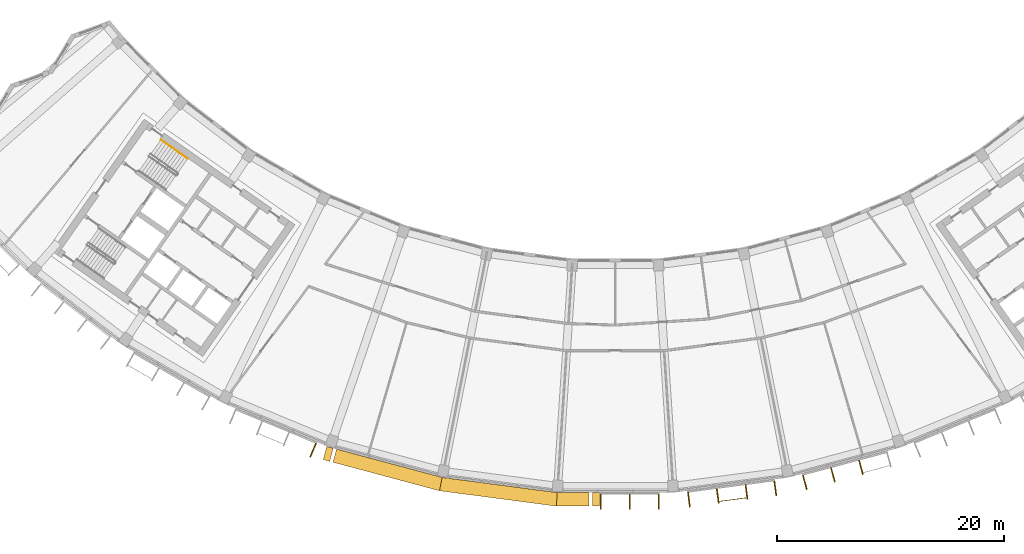
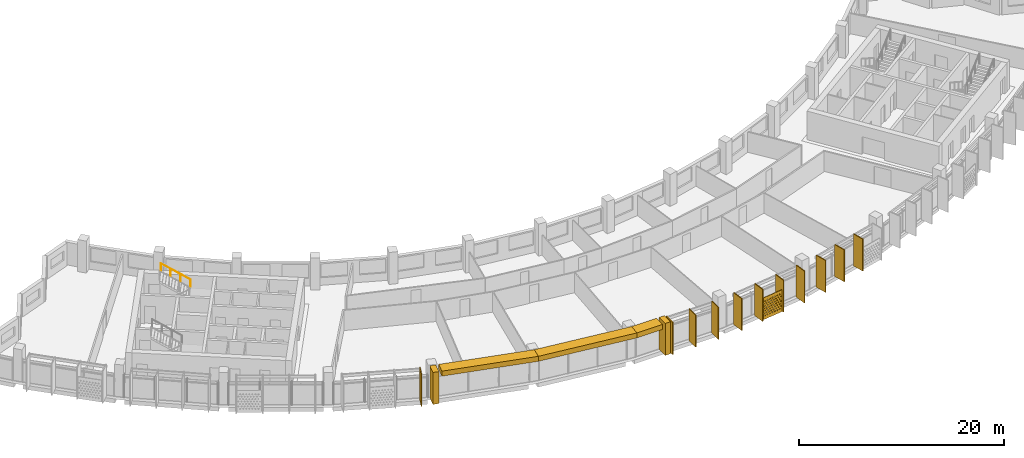
# One storey, part 24 of 27: 17 shading devices, 1 railing.
"""IFC4 building model written with IfcOpenShell, lengths in metres."""

from ifc_helpers import new_model, si_unit, direction, frame, origin, origin_2d, place, context, subcontext, project, spatial, polyline, rectangle, circle, outline, extrude, material, material_profile, profile_set, type_object, element, save


model = new_model("IFC4")

# Units and contexts
model_context = context("Model", 3, precision=1e-05, world=origin(), true_north=direction((0.0, 1.0)))
body_context = subcontext(model_context, "Body", "Model", "MODEL_VIEW")
ifc_project = project(units=[si_unit("LENGTHUNIT", "METRE"), si_unit("AREAUNIT", "SQUARE_METRE"), si_unit("VOLUMEUNIT", "CUBIC_METRE"), si_unit("PLANEANGLEUNIT", "RADIAN"), si_unit("MASSUNIT", "GRAM", prefix="KILO")], contexts=[model_context])

# Site, building, storey
site_placement = place(None, origin())
site = spatial("IfcSite", under=ifc_project, at=site_placement, CompositionType="ELEMENT")
building_placement = place(site_placement, origin())
building = spatial("IfcBuilding", under=site, at=building_placement, Name="Qamariyya Broadcast Tower", CompositionType="ELEMENT")
storey_placement = place(building_placement, frame((0.0, 0.0, 280.89990234375)))
storey = spatial("IfcBuildingStorey", under=building, at=storey_placement, Name="L68", CompositionType="ELEMENT", Elevation=280.89990234375)

# Shading devices
ifc_material_1 = material(Name="Steel S355 powder coated deep red", Category="steel")
shading_device_type_1 = type_object("IfcShadingDeviceType", Name="Deep red frame, powder coated steel box section", PredefinedType="USERDEFINED", material=ifc_material_1)
shading_device_1_placement = place(storey_placement, origin())
element("IfcShadingDevice", 1, at=shading_device_1_placement, inside=storey, type_object=shading_device_type_1, Name="e-frm-B5-F3-posta-L68", ObjectType="FRAME", PredefinedType="USERDEFINED", context=body_context, shape_type="SweptSolid", body=[
    extrude(outline(polyline([(-25.474609375, -74.1142578125), (-25.78515625, -75.2734375), (-25.20556640625, -75.4287109375), (-24.89501953125, -74.26953125), (-25.474609375, -74.1142578125)])), origin(), (0.0, 0.0, 1.0), 3.800048828125),
])
shading_device_2_placement = place(storey_placement, origin())
element("IfcShadingDevice", 2, at=shading_device_2_placement, inside=storey, type_object=shading_device_type_1, Name="e-frm-B5-F3-postb-L68", ObjectType="FRAME", PredefinedType="USERDEFINED", context=body_context, shape_type="SweptSolid", body=[
    extrude(outline(polyline([(-2.008056640625, -78.18212890625), (-2.008056640625, -79.38232421875), (-1.408203125, -79.38232421875), (-1.408203125, -78.18212890625), (-2.008056640625, -78.18212890625)])), origin(), (0.0, 0.0, 1.0), 3.800048828125),
])
shading_device_3_placement = place(storey_placement, frame((0.0, 0.0, 3.2001953125)))
element("IfcShadingDevice", 3, at=shading_device_3_placement, inside=storey, type_object=shading_device_type_1, Name="e-frm-B5-F3-top0", ObjectType="FRAME", PredefinedType="USERDEFINED", context=body_context, shape_type="SweptSolid", body=[
    extrude(outline(polyline([(-24.605224609375, -74.34716796875), (-24.915771484375, -75.50634765625), (-15.52001953125, -78.02392578125), (-15.285400390625, -76.844482421875), (-24.605224609375, -74.34716796875)])), origin(), (0.0, 0.0, 1.0), 0.599853515625),
])
shading_device_4_placement = place(storey_placement, frame((0.0, 0.0, 3.2001953125)))
element("IfcShadingDevice", 4, at=shading_device_4_placement, inside=storey, type_object=shading_device_type_1, Name="e-frm-B5-F3-top1", ObjectType="FRAME", PredefinedType="USERDEFINED", context=body_context, shape_type="SweptSolid", body=[
    extrude(outline(polyline([(-15.285400390625, -76.844482421875), (-15.52001953125, -78.02392578125), (-5.202880859375, -79.38232421875), (-5.124267578125, -78.18212890625), (-15.285400390625, -76.844482421875)])), origin(), (0.0, 0.0, 1.0), 0.599853515625),
])
shading_device_5_placement = place(storey_placement, frame((0.0, 0.0, 3.2001953125)))
element("IfcShadingDevice", 5, at=shading_device_5_placement, inside=storey, type_object=shading_device_type_1, Name="e-frm-B5-F3-top2", ObjectType="FRAME", PredefinedType="USERDEFINED", context=body_context, shape_type="SweptSolid", body=[
    extrude(outline(polyline([(-5.124267578125, -78.18212890625), (-5.202880859375, -79.38232421875), (-2.30810546875, -79.38232421875), (-2.30810546875, -78.18212890625), (-5.124267578125, -78.18212890625)])), origin(), (0.0, 0.0, 1.0), 0.599853515625),
])
ifc_material_2 = material(Name="Perforated glazed terracotta", Category="masonry")
ifc_material_profile_1 = material_profile(ifc_material_2, outline(polyline([(-1.199951171875, -1.300048828125), (1.199951171875, -1.300048828125), (1.199951171875, 1.300048828125), (-1.199951171875, 1.300048828125), (-1.199951171875, -1.300048828125)]), holes=[polyline([(-0.81494140625, -0.86669921875), (-0.89990234375, -0.78173828125), (-0.985107421875, -0.86669921875), (-0.89990234375, -0.95166015625), (-0.81494140625, -0.86669921875)]), polyline([(-0.514892578125, -0.86669921875), (-0.60009765625, -0.78173828125), (-0.68505859375, -0.86669921875), (-0.60009765625, -0.95166015625), (-0.514892578125, -0.86669921875)]), polyline([(-0.215087890625, -0.86669921875), (-0.300048828125, -0.78173828125), (-0.385009765625, -0.86669921875), (-0.300048828125, -0.95166015625), (-0.215087890625, -0.86669921875)]), polyline([(0.0849609375, -0.86669921875), (0.0, -0.78173828125), (-0.0849609375, -0.86669921875), (0.0, -0.95166015625), (0.0849609375, -0.86669921875)]), polyline([(0.385009765625, -0.86669921875), (0.300048828125, -0.78173828125), (0.215087890625, -0.86669921875), (0.300048828125, -0.95166015625), (0.385009765625, -0.86669921875)]), polyline([(0.68505859375, -0.86669921875), (0.60009765625, -0.78173828125), (0.514892578125, -0.86669921875), (0.60009765625, -0.95166015625), (0.68505859375, -0.86669921875)]), polyline([(0.985107421875, -0.86669921875), (0.89990234375, -0.78173828125), (0.81494140625, -0.86669921875), (0.89990234375, -0.95166015625), (0.985107421875, -0.86669921875)]), polyline([(-0.965087890625, -0.577880859375), (-1.050048828125, -0.49267578125), (-1.135009765625, -0.577880859375), (-1.050048828125, -0.662841796875), (-0.965087890625, -0.577880859375)]), polyline([(-0.6650390625, -0.577880859375), (-0.75, -0.49267578125), (-0.8349609375, -0.577880859375), (-0.75, -0.662841796875), (-0.6650390625, -0.577880859375)]), polyline([(-0.364990234375, -0.577880859375), (-0.449951171875, -0.49267578125), (-0.534912109375, -0.577880859375), (-0.449951171875, -0.662841796875), (-0.364990234375, -0.577880859375)]), polyline([(-0.06494140625, -0.577880859375), (-0.14990234375, -0.49267578125), (-0.235107421875, -0.577880859375), (-0.14990234375, -0.662841796875), (-0.06494140625, -0.577880859375)]), polyline([(0.235107421875, -0.577880859375), (0.14990234375, -0.49267578125), (0.06494140625, -0.577880859375), (0.14990234375, -0.662841796875), (0.235107421875, -0.577880859375)]), polyline([(0.534912109375, -0.577880859375), (0.449951171875, -0.49267578125), (0.364990234375, -0.577880859375), (0.449951171875, -0.662841796875), (0.534912109375, -0.577880859375)]), polyline([(0.8349609375, -0.577880859375), (0.75, -0.49267578125), (0.6650390625, -0.577880859375), (0.75, -0.662841796875), (0.8349609375, -0.577880859375)]), polyline([(1.135009765625, -0.577880859375), (1.050048828125, -0.49267578125), (0.965087890625, -0.577880859375), (1.050048828125, -0.662841796875), (1.135009765625, -0.577880859375)]), polyline([(-0.81494140625, -0.288818359375), (-0.89990234375, -0.203857421875), (-0.985107421875, -0.288818359375), (-0.89990234375, -0.373779296875), (-0.81494140625, -0.288818359375)]), polyline([(-0.514892578125, -0.288818359375), (-0.60009765625, -0.203857421875), (-0.68505859375, -0.288818359375), (-0.60009765625, -0.373779296875), (-0.514892578125, -0.288818359375)]), polyline([(-0.215087890625, -0.288818359375), (-0.300048828125, -0.203857421875), (-0.385009765625, -0.288818359375), (-0.300048828125, -0.373779296875), (-0.215087890625, -0.288818359375)]), polyline([(0.0849609375, -0.288818359375), (0.0, -0.203857421875), (-0.0849609375, -0.288818359375), (0.0, -0.373779296875), (0.0849609375, -0.288818359375)]), polyline([(0.385009765625, -0.288818359375), (0.300048828125, -0.203857421875), (0.215087890625, -0.288818359375), (0.300048828125, -0.373779296875), (0.385009765625, -0.288818359375)]), polyline([(0.68505859375, -0.288818359375), (0.60009765625, -0.203857421875), (0.514892578125, -0.288818359375), (0.60009765625, -0.373779296875), (0.68505859375, -0.288818359375)]), polyline([(0.985107421875, -0.288818359375), (0.89990234375, -0.203857421875), (0.81494140625, -0.288818359375), (0.89990234375, -0.373779296875), (0.985107421875, -0.288818359375)]), polyline([(-0.965087890625, 0.0), (-1.050048828125, 0.0849609375), (-1.135009765625, 0.0), (-1.050048828125, -0.0849609375), (-0.965087890625, 0.0)]), polyline([(-0.6650390625, 0.0), (-0.75, 0.0849609375), (-0.8349609375, 0.0), (-0.75, -0.0849609375), (-0.6650390625, 0.0)]), polyline([(-0.364990234375, 0.0), (-0.449951171875, 0.0849609375), (-0.534912109375, 0.0), (-0.449951171875, -0.0849609375), (-0.364990234375, 0.0)]), polyline([(-0.06494140625, 0.0), (-0.14990234375, 0.0849609375), (-0.235107421875, 0.0), (-0.14990234375, -0.0849609375), (-0.06494140625, 0.0)]), polyline([(0.235107421875, 0.0), (0.14990234375, 0.0849609375), (0.06494140625, 0.0), (0.14990234375, -0.0849609375), (0.235107421875, 0.0)]), polyline([(0.534912109375, 0.0), (0.449951171875, 0.0849609375), (0.364990234375, 0.0), (0.449951171875, -0.0849609375), (0.534912109375, 0.0)]), polyline([(0.8349609375, 0.0), (0.75, 0.0849609375), (0.6650390625, 0.0), (0.75, -0.0849609375), (0.8349609375, 0.0)]), polyline([(1.135009765625, 0.0), (1.050048828125, 0.0849609375), (0.965087890625, 0.0), (1.050048828125, -0.0849609375), (1.135009765625, 0.0)]), polyline([(-0.81494140625, 0.288818359375), (-0.89990234375, 0.373779296875), (-0.985107421875, 0.288818359375), (-0.89990234375, 0.203857421875), (-0.81494140625, 0.288818359375)]), polyline([(-0.514892578125, 0.288818359375), (-0.60009765625, 0.373779296875), (-0.68505859375, 0.288818359375), (-0.60009765625, 0.203857421875), (-0.514892578125, 0.288818359375)]), polyline([(-0.215087890625, 0.288818359375), (-0.300048828125, 0.373779296875), (-0.385009765625, 0.288818359375), (-0.300048828125, 0.203857421875), (-0.215087890625, 0.288818359375)]), polyline([(0.0849609375, 0.288818359375), (0.0, 0.373779296875), (-0.0849609375, 0.288818359375), (0.0, 0.203857421875), (0.0849609375, 0.288818359375)]), polyline([(0.385009765625, 0.288818359375), (0.300048828125, 0.373779296875), (0.215087890625, 0.288818359375), (0.300048828125, 0.203857421875), (0.385009765625, 0.288818359375)]), polyline([(0.68505859375, 0.288818359375), (0.60009765625, 0.373779296875), (0.514892578125, 0.288818359375), (0.60009765625, 0.203857421875), (0.68505859375, 0.288818359375)]), polyline([(0.985107421875, 0.288818359375), (0.89990234375, 0.373779296875), (0.81494140625, 0.288818359375), (0.89990234375, 0.203857421875), (0.985107421875, 0.288818359375)]), polyline([(-0.965087890625, 0.577880859375), (-1.050048828125, 0.662841796875), (-1.135009765625, 0.577880859375), (-1.050048828125, 0.49267578125), (-0.965087890625, 0.577880859375)]), polyline([(-0.6650390625, 0.577880859375), (-0.75, 0.662841796875), (-0.8349609375, 0.577880859375), (-0.75, 0.49267578125), (-0.6650390625, 0.577880859375)]), polyline([(-0.364990234375, 0.577880859375), (-0.449951171875, 0.662841796875), (-0.534912109375, 0.577880859375), (-0.449951171875, 0.49267578125), (-0.364990234375, 0.577880859375)]), polyline([(-0.06494140625, 0.577880859375), (-0.14990234375, 0.662841796875), (-0.235107421875, 0.577880859375), (-0.14990234375, 0.49267578125), (-0.06494140625, 0.577880859375)]), polyline([(0.235107421875, 0.577880859375), (0.14990234375, 0.662841796875), (0.06494140625, 0.577880859375), (0.14990234375, 0.49267578125), (0.235107421875, 0.577880859375)]), polyline([(0.534912109375, 0.577880859375), (0.449951171875, 0.662841796875), (0.364990234375, 0.577880859375), (0.449951171875, 0.49267578125), (0.534912109375, 0.577880859375)]), polyline([(0.8349609375, 0.577880859375), (0.75, 0.662841796875), (0.6650390625, 0.577880859375), (0.75, 0.49267578125), (0.8349609375, 0.577880859375)]), polyline([(1.135009765625, 0.577880859375), (1.050048828125, 0.662841796875), (0.965087890625, 0.577880859375), (1.050048828125, 0.49267578125), (1.135009765625, 0.577880859375)]), polyline([(-0.81494140625, 0.86669921875), (-0.89990234375, 0.95166015625), (-0.985107421875, 0.86669921875), (-0.89990234375, 0.78173828125), (-0.81494140625, 0.86669921875)]), polyline([(-0.514892578125, 0.86669921875), (-0.60009765625, 0.95166015625), (-0.68505859375, 0.86669921875), (-0.60009765625, 0.78173828125), (-0.514892578125, 0.86669921875)]), polyline([(-0.215087890625, 0.86669921875), (-0.300048828125, 0.95166015625), (-0.385009765625, 0.86669921875), (-0.300048828125, 0.78173828125), (-0.215087890625, 0.86669921875)]), polyline([(0.0849609375, 0.86669921875), (0.0, 0.95166015625), (-0.0849609375, 0.86669921875), (0.0, 0.78173828125), (0.0849609375, 0.86669921875)]), polyline([(0.385009765625, 0.86669921875), (0.300048828125, 0.95166015625), (0.215087890625, 0.86669921875), (0.300048828125, 0.78173828125), (0.385009765625, 0.86669921875)]), polyline([(0.68505859375, 0.86669921875), (0.60009765625, 0.95166015625), (0.514892578125, 0.86669921875), (0.60009765625, 0.78173828125), (0.68505859375, 0.86669921875)]), polyline([(0.985107421875, 0.86669921875), (0.89990234375, 0.95166015625), (0.81494140625, 0.86669921875), (0.89990234375, 0.78173828125), (0.985107421875, 0.86669921875)])]))
ifc_profile_set_1 = profile_set([ifc_material_profile_1], Name="Perforated glazed terracotta")
shading_device_type_2 = type_object("IfcShadingDeviceType", Name="Perforated terracotta screen 2400 x 2600", PredefinedType="USERDEFINED", material=ifc_profile_set_1)
shading_device_6_placement = place(storey_placement, frame((10.33984375, -78.776611328125, 1.35009765625), z_axis=(0.1300340368, -0.991509530601, 0.0), x_axis=(0.991509530601, 0.1300340368, 0.0)))
element("IfcShadingDevice", 6, at=shading_device_6_placement, inside=storey, type_object=shading_device_type_2, Name="e-scr-L68-08-1", ObjectType="SCREEN", PredefinedType="USERDEFINED", context=body_context, shape_type="SweptSolid", body=[
    extrude(outline(polyline([(-1.199951171875, -1.300048828125), (1.199951171875, -1.300048828125), (1.199951171875, 1.300048828125), (-1.199951171875, 1.300048828125), (-1.199951171875, -1.300048828125)]), holes=[polyline([(-0.81494140625, -0.86669921875), (-0.89990234375, -0.78173828125), (-0.985107421875, -0.86669921875), (-0.89990234375, -0.95166015625), (-0.81494140625, -0.86669921875)]), polyline([(-0.514892578125, -0.86669921875), (-0.60009765625, -0.78173828125), (-0.68505859375, -0.86669921875), (-0.60009765625, -0.95166015625), (-0.514892578125, -0.86669921875)]), polyline([(-0.215087890625, -0.86669921875), (-0.300048828125, -0.78173828125), (-0.385009765625, -0.86669921875), (-0.300048828125, -0.95166015625), (-0.215087890625, -0.86669921875)]), polyline([(0.0849609375, -0.86669921875), (0.0, -0.78173828125), (-0.0849609375, -0.86669921875), (0.0, -0.95166015625), (0.0849609375, -0.86669921875)]), polyline([(0.385009765625, -0.86669921875), (0.300048828125, -0.78173828125), (0.215087890625, -0.86669921875), (0.300048828125, -0.95166015625), (0.385009765625, -0.86669921875)]), polyline([(0.68505859375, -0.86669921875), (0.60009765625, -0.78173828125), (0.514892578125, -0.86669921875), (0.60009765625, -0.95166015625), (0.68505859375, -0.86669921875)]), polyline([(0.985107421875, -0.86669921875), (0.89990234375, -0.78173828125), (0.81494140625, -0.86669921875), (0.89990234375, -0.95166015625), (0.985107421875, -0.86669921875)]), polyline([(-0.965087890625, -0.577880859375), (-1.050048828125, -0.49267578125), (-1.135009765625, -0.577880859375), (-1.050048828125, -0.662841796875), (-0.965087890625, -0.577880859375)]), polyline([(-0.6650390625, -0.577880859375), (-0.75, -0.49267578125), (-0.8349609375, -0.577880859375), (-0.75, -0.662841796875), (-0.6650390625, -0.577880859375)]), polyline([(-0.364990234375, -0.577880859375), (-0.449951171875, -0.49267578125), (-0.534912109375, -0.577880859375), (-0.449951171875, -0.662841796875), (-0.364990234375, -0.577880859375)]), polyline([(-0.06494140625, -0.577880859375), (-0.14990234375, -0.49267578125), (-0.235107421875, -0.577880859375), (-0.14990234375, -0.662841796875), (-0.06494140625, -0.577880859375)]), polyline([(0.235107421875, -0.577880859375), (0.14990234375, -0.49267578125), (0.06494140625, -0.577880859375), (0.14990234375, -0.662841796875), (0.235107421875, -0.577880859375)]), polyline([(0.534912109375, -0.577880859375), (0.449951171875, -0.49267578125), (0.364990234375, -0.577880859375), (0.449951171875, -0.662841796875), (0.534912109375, -0.577880859375)]), polyline([(0.8349609375, -0.577880859375), (0.75, -0.49267578125), (0.6650390625, -0.577880859375), (0.75, -0.662841796875), (0.8349609375, -0.577880859375)]), polyline([(1.135009765625, -0.577880859375), (1.050048828125, -0.49267578125), (0.965087890625, -0.577880859375), (1.050048828125, -0.662841796875), (1.135009765625, -0.577880859375)]), polyline([(-0.81494140625, -0.288818359375), (-0.89990234375, -0.203857421875), (-0.985107421875, -0.288818359375), (-0.89990234375, -0.373779296875), (-0.81494140625, -0.288818359375)]), polyline([(-0.514892578125, -0.288818359375), (-0.60009765625, -0.203857421875), (-0.68505859375, -0.288818359375), (-0.60009765625, -0.373779296875), (-0.514892578125, -0.288818359375)]), polyline([(-0.215087890625, -0.288818359375), (-0.300048828125, -0.203857421875), (-0.385009765625, -0.288818359375), (-0.300048828125, -0.373779296875), (-0.215087890625, -0.288818359375)]), polyline([(0.0849609375, -0.288818359375), (0.0, -0.203857421875), (-0.0849609375, -0.288818359375), (0.0, -0.373779296875), (0.0849609375, -0.288818359375)]), polyline([(0.385009765625, -0.288818359375), (0.300048828125, -0.203857421875), (0.215087890625, -0.288818359375), (0.300048828125, -0.373779296875), (0.385009765625, -0.288818359375)]), polyline([(0.68505859375, -0.288818359375), (0.60009765625, -0.203857421875), (0.514892578125, -0.288818359375), (0.60009765625, -0.373779296875), (0.68505859375, -0.288818359375)]), polyline([(0.985107421875, -0.288818359375), (0.89990234375, -0.203857421875), (0.81494140625, -0.288818359375), (0.89990234375, -0.373779296875), (0.985107421875, -0.288818359375)]), polyline([(-0.965087890625, 0.0), (-1.050048828125, 0.0849609375), (-1.135009765625, 0.0), (-1.050048828125, -0.0849609375), (-0.965087890625, 0.0)]), polyline([(-0.6650390625, 0.0), (-0.75, 0.0849609375), (-0.8349609375, 0.0), (-0.75, -0.0849609375), (-0.6650390625, 0.0)]), polyline([(-0.364990234375, 0.0), (-0.449951171875, 0.0849609375), (-0.534912109375, 0.0), (-0.449951171875, -0.0849609375), (-0.364990234375, 0.0)]), polyline([(-0.06494140625, 0.0), (-0.14990234375, 0.0849609375), (-0.235107421875, 0.0), (-0.14990234375, -0.0849609375), (-0.06494140625, 0.0)]), polyline([(0.235107421875, 0.0), (0.14990234375, 0.0849609375), (0.06494140625, 0.0), (0.14990234375, -0.0849609375), (0.235107421875, 0.0)]), polyline([(0.534912109375, 0.0), (0.449951171875, 0.0849609375), (0.364990234375, 0.0), (0.449951171875, -0.0849609375), (0.534912109375, 0.0)]), polyline([(0.8349609375, 0.0), (0.75, 0.0849609375), (0.6650390625, 0.0), (0.75, -0.0849609375), (0.8349609375, 0.0)]), polyline([(1.135009765625, 0.0), (1.050048828125, 0.0849609375), (0.965087890625, 0.0), (1.050048828125, -0.0849609375), (1.135009765625, 0.0)]), polyline([(-0.81494140625, 0.288818359375), (-0.89990234375, 0.373779296875), (-0.985107421875, 0.288818359375), (-0.89990234375, 0.203857421875), (-0.81494140625, 0.288818359375)]), polyline([(-0.514892578125, 0.288818359375), (-0.60009765625, 0.373779296875), (-0.68505859375, 0.288818359375), (-0.60009765625, 0.203857421875), (-0.514892578125, 0.288818359375)]), polyline([(-0.215087890625, 0.288818359375), (-0.300048828125, 0.373779296875), (-0.385009765625, 0.288818359375), (-0.300048828125, 0.203857421875), (-0.215087890625, 0.288818359375)]), polyline([(0.0849609375, 0.288818359375), (0.0, 0.373779296875), (-0.0849609375, 0.288818359375), (0.0, 0.203857421875), (0.0849609375, 0.288818359375)]), polyline([(0.385009765625, 0.288818359375), (0.300048828125, 0.373779296875), (0.215087890625, 0.288818359375), (0.300048828125, 0.203857421875), (0.385009765625, 0.288818359375)]), polyline([(0.68505859375, 0.288818359375), (0.60009765625, 0.373779296875), (0.514892578125, 0.288818359375), (0.60009765625, 0.203857421875), (0.68505859375, 0.288818359375)]), polyline([(0.985107421875, 0.288818359375), (0.89990234375, 0.373779296875), (0.81494140625, 0.288818359375), (0.89990234375, 0.203857421875), (0.985107421875, 0.288818359375)]), polyline([(-0.965087890625, 0.577880859375), (-1.050048828125, 0.662841796875), (-1.135009765625, 0.577880859375), (-1.050048828125, 0.49267578125), (-0.965087890625, 0.577880859375)]), polyline([(-0.6650390625, 0.577880859375), (-0.75, 0.662841796875), (-0.8349609375, 0.577880859375), (-0.75, 0.49267578125), (-0.6650390625, 0.577880859375)]), polyline([(-0.364990234375, 0.577880859375), (-0.449951171875, 0.662841796875), (-0.534912109375, 0.577880859375), (-0.449951171875, 0.49267578125), (-0.364990234375, 0.577880859375)]), polyline([(-0.06494140625, 0.577880859375), (-0.14990234375, 0.662841796875), (-0.235107421875, 0.577880859375), (-0.14990234375, 0.49267578125), (-0.06494140625, 0.577880859375)]), polyline([(0.235107421875, 0.577880859375), (0.14990234375, 0.662841796875), (0.06494140625, 0.577880859375), (0.14990234375, 0.49267578125), (0.235107421875, 0.577880859375)]), polyline([(0.534912109375, 0.577880859375), (0.449951171875, 0.662841796875), (0.364990234375, 0.577880859375), (0.449951171875, 0.49267578125), (0.534912109375, 0.577880859375)]), polyline([(0.8349609375, 0.577880859375), (0.75, 0.662841796875), (0.6650390625, 0.577880859375), (0.75, 0.49267578125), (0.8349609375, 0.577880859375)]), polyline([(1.135009765625, 0.577880859375), (1.050048828125, 0.662841796875), (0.965087890625, 0.577880859375), (1.050048828125, 0.49267578125), (1.135009765625, 0.577880859375)]), polyline([(-0.81494140625, 0.86669921875), (-0.89990234375, 0.95166015625), (-0.985107421875, 0.86669921875), (-0.89990234375, 0.78173828125), (-0.81494140625, 0.86669921875)]), polyline([(-0.514892578125, 0.86669921875), (-0.60009765625, 0.95166015625), (-0.68505859375, 0.86669921875), (-0.60009765625, 0.78173828125), (-0.514892578125, 0.86669921875)]), polyline([(-0.215087890625, 0.86669921875), (-0.300048828125, 0.95166015625), (-0.385009765625, 0.86669921875), (-0.300048828125, 0.78173828125), (-0.215087890625, 0.86669921875)]), polyline([(0.0849609375, 0.86669921875), (0.0, 0.95166015625), (-0.0849609375, 0.86669921875), (0.0, 0.78173828125), (0.0849609375, 0.86669921875)]), polyline([(0.385009765625, 0.86669921875), (0.300048828125, 0.95166015625), (0.215087890625, 0.86669921875), (0.300048828125, 0.78173828125), (0.385009765625, 0.86669921875)]), polyline([(0.68505859375, 0.86669921875), (0.60009765625, 0.95166015625), (0.514892578125, 0.86669921875), (0.60009765625, 0.78173828125), (0.68505859375, 0.86669921875)]), polyline([(0.985107421875, 0.86669921875), (0.89990234375, 0.95166015625), (0.81494140625, 0.86669921875), (0.89990234375, 0.78173828125), (0.985107421875, 0.86669921875)])]), origin(), (0.0, 0.0, 1.0), 0.06005859375),
])

# Railing
ifc_material_3 = material(Name="Stainless steel", Category="steel")
railing_type = type_object("IfcRailingType", Name="Stair handrail", PredefinedType="HANDRAIL", material=ifc_material_3)
railing_placement = place(storey_placement, frame((-37.73876953125, -48.7138671875, 2.07275390625)))
element("IfcRailing", 7, at=railing_placement, inside=storey, type_object=railing_type, Name="L68 ST-W2 stair handrail 2", PredefinedType="HANDRAIL", context=body_context, shape_type="SweptSolid", body=[
    extrude(circle(Radius=0.02392578125, at=origin_2d()), frame((0.0, 0.0, 0.8759765625), z_axis=(-0.703745009021, 0.492838488332, 0.511715923826), x_axis=(-0.573631830683, -0.819113253969, 0.0)), (0.0, 0.0, 1.0), 3.37548828125),
    extrude(circle(Radius=0.02099609375, at=origin_2d()), origin(), (0.0, 0.0, 1.0), 0.851806640625),
    extrude(circle(Radius=0.02099609375, at=origin_2d()), frame((-0.791748046875, 0.554443359375, 0.57568359375)), (0.0, 0.0, 1.0), 0.851806640625),
    extrude(circle(Radius=0.02099609375, at=origin_2d()), frame((-1.583740234375, 1.109130859375, 1.151611328125)), (0.0, 0.0, 1.0), 0.851806640625),
    extrude(circle(Radius=0.02099609375, at=origin_2d()), frame((-2.37548828125, 1.66357421875, 1.727294921875)), (0.0, 0.0, 1.0), 0.851806640625),
])

# Shading devices
ifc_material_4 = material(Name="Glazed terracotta", Category="masonry")
ifc_material_profile_2 = material_profile(ifc_material_4, rectangle(XDim=1.300048828125, YDim=0.10009765625, at=origin_2d()))
ifc_profile_set_2 = profile_set([ifc_material_profile_2], Name="Glazed terracotta")
shading_device_type_3 = type_object("IfcShadingDeviceType", Name="Terracotta fin 100 x 1300", PredefinedType="USERDEFINED", material=ifc_profile_set_2)
for number, where, z_axis, x_axis, name in (
    (8, (-26.674560546875, -74.44091796875, 0.0), (0.0, 0.0, 1.0), (-0.382683432365, -0.923879532511, 0.0), "e-fin-L68-04-3"),
    (9, (-1.281005859375, -78.982177734375, 0.0), (0.0, 0.0, 1.0), (0.0, -1.0, 0.0), "e-fin-L68-07-1"),
    (10, (1.281005859375, -78.982177734375, 0.0), (0.0, 0.0, 1.0), (0.0, -1.0, 0.0), "e-fin-L68-07-2"),
    (11, (3.84326171875, -78.982177734375, 0.0), (0.0, 0.0, 1.0), (0.0, -1.0, 0.0), "e-fin-L68-07-3"),
    (12, (6.498779296875, -78.80810546875, 0.0), (0.0, 0.0, 1.0), (0.13052619222, -0.991444861374, 0.0), "e-fin-L68-08-0"),
    (13, (9.0390625, -78.473876953125, 0.0), (0.0, 0.0, 1.0), (0.13052619222, -0.991444861374, 0.0), "e-fin-L68-08-1"),
    (14, (11.579345703125, -78.139404296875, 0.0), (0.0, 0.0, 1.0), (0.13052619222, -0.991444861374, 0.0), "e-fin-L68-08-2"),
    (15, (14.11962890625, -77.804931640625, 0.0), (0.0, 0.0, 1.0), (0.13052619222, -0.991444861374, 0.0), "e-fin-L68-08-3"),
    (16, (16.729736328125, -77.28564453125, 0.0), (0.0, 0.0, 1.0), (0.258819045103, -0.965925826289, 0.0), "e-fin-L68-09-0"),
    (17, (19.20458984375, -76.62255859375, 0.0), (0.0, 0.0, 1.0), (0.258819045103, -0.965925826289, 0.0), "e-fin-L68-09-1"),
    (18, (21.679443359375, -75.95947265625, 0.0), (0.0, 0.0, 1.0), (0.258819045103, -0.965925826289, 0.0), "e-fin-L68-09-2"),
):
    element("IfcShadingDevice", number, at=place(storey_placement, frame(where, z_axis=z_axis, x_axis=x_axis)), inside=storey, type_object=shading_device_type_3, Name=name, ObjectType="FIN", PredefinedType="USERDEFINED", context=body_context, shape_type="SweptSolid", body=[
        extrude(rectangle(XDim=1.300048828125, YDim=0.10009765625, at=origin_2d()), origin(), (0.0, 0.0, 1.0), 3.800048828125),
    ])

save(model, "model.ifc")
